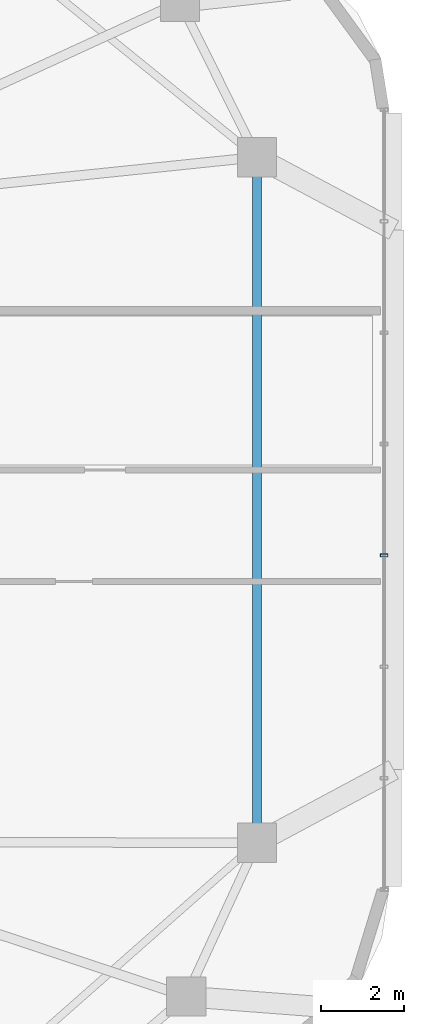
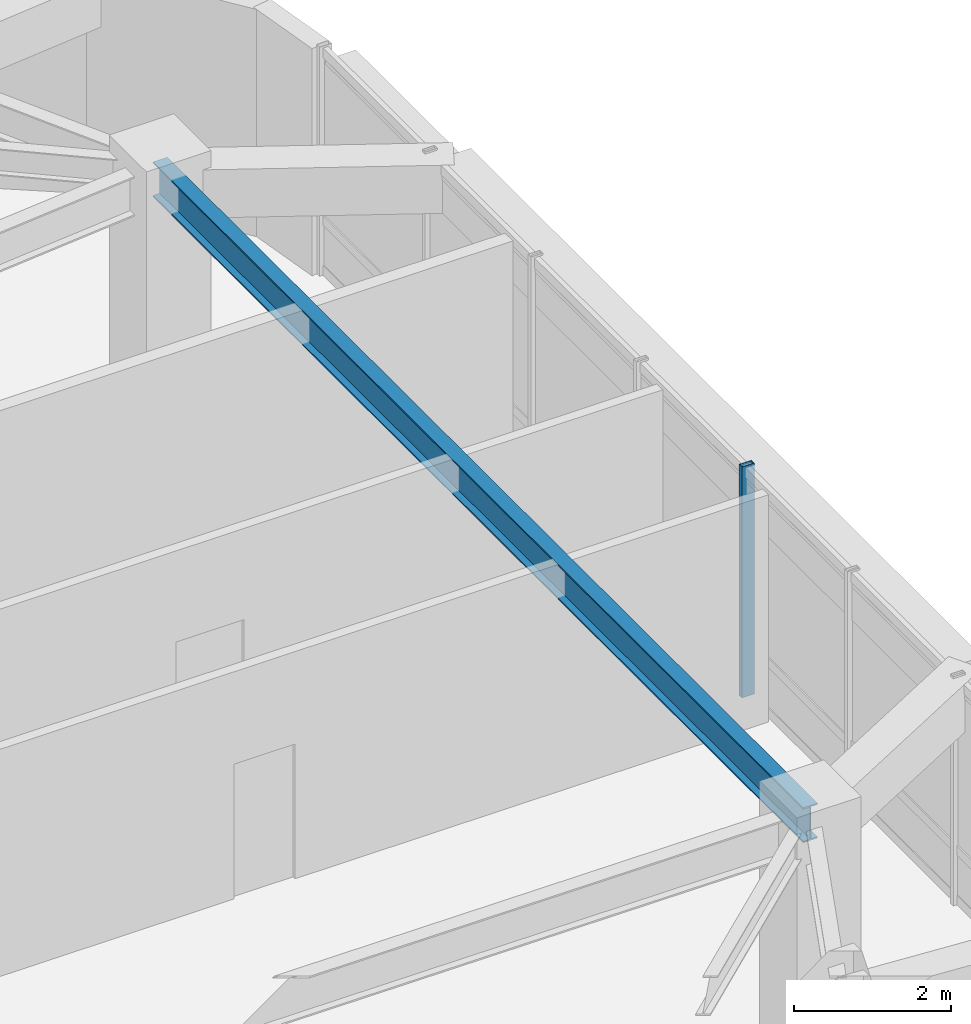
# One storey, part 3 of 14: 1 beam, 1 member, 1 element without a shape of its own.
"""IFC4 building model written with IfcOpenShell, lengths in metres."""

from ifc_helpers import new_model, si_unit, direction, frame, origin, origin_2d, place, context, subcontext, project, spatial, hollow_rectangle, i_section, extrude, material, material_profile, profile_set, type_object, element, aggregate, save


model = new_model("IFC4")

# Units and contexts
model_context = context("Model", 3, precision=1e-05, world=origin(), true_north=direction((0.0, 1.0)))
body_context = subcontext(model_context, "Body", "Model", "MODEL_VIEW")
ifc_project = project(units=[si_unit("LENGTHUNIT", "METRE"), si_unit("AREAUNIT", "SQUARE_METRE"), si_unit("VOLUMEUNIT", "CUBIC_METRE"), si_unit("PLANEANGLEUNIT", "RADIAN"), si_unit("MASSUNIT", "GRAM", prefix="KILO")], contexts=[model_context])

# Site, building, storey
site_placement = place(None, origin())
site = spatial("IfcSite", under=ifc_project, at=site_placement, CompositionType="ELEMENT")
building_placement = place(site_placement, origin())
building = spatial("IfcBuilding", under=site, at=building_placement, Name="Zulverin Broadcast Headquarters", CompositionType="ELEMENT")
storey_placement = place(building_placement, frame((0.0, 0.0, 201.0)))
storey = spatial("IfcBuildingStorey", under=building, at=storey_placement, Name="L51", CompositionType="ELEMENT", Elevation=201.0)

# Beam
ifc_material_1 = material(Name="Structural steel S355JR", Category="steel")
ifc_material_profile_1 = material_profile(ifc_material_1, i_section(OverallWidth=0.2119140625, OverallDepth=0.54443359375, WebThickness=0.0126953125, FlangeThickness=0.021240234375, at=origin_2d()), Name="Structural steel S355JR", Category="steel")
ifc_profile_set_1 = profile_set([ifc_material_profile_1], Name="Structural steel S355JR")
beam_type = type_object("IfcBeamType", Name="BM-UB-533", PredefinedType="SPANDREL", material=ifc_profile_set_1)
beam_placement = place(storey_placement, frame((60.60009765625, 17.519287109375, 3.267578125), z_axis=(0.0, 1.0, 0.0), x_axis=(-1.0, 0.0, 0.0)))
element("IfcBeam", 1, at=beam_placement, inside=storey, type_object=beam_type, Name="L51 Perimeter Spandrel Beam SP-05", PredefinedType="SPANDREL", context=body_context, shape_type="SweptSolid", body=[
    extrude(i_section(OverallWidth=0.2119140625, OverallDepth=0.54443359375, WebThickness=0.0126953125, FlangeThickness=0.021240234375, at=origin_2d()), origin(), (0.0, 0.0, 1.0), 16.602294921875),
])

# Curtain wall, member
ifc_material_2 = material(Name="Waist wind-pressure unitised curtain wall", Category="aluminium")
curtain_wall_type = type_object("IfcCurtainWallType", Name="CW-TWR-WST", PredefinedType="USERDEFINED", material=ifc_material_2)
curtain_wall_placement = place(storey_placement, origin())
curtain_wall = element("IfcCurtainWall", 2, at=curtain_wall_placement, inside=storey, type_object=curtain_wall_type, Name="L51 Unitised Curtain Wall CW-L51-E3", ObjectType="UNITISED CURTAIN WALL", PredefinedType="USERDEFINED")
ifc_material_3 = material(Name="Anodized pale-metal aluminium alloy 6063-T6", Category="aluminium")
ifc_material_profile_2 = material_profile(ifc_material_3, hollow_rectangle(XDim=0.074951171875, YDim=0.179931640625, WallThickness=0.0048828125, at=origin_2d()), Name="Anodized pale-metal aluminium alloy 6063-T6", Category="aluminium")
ifc_profile_set_2 = profile_set([ifc_material_profile_2], Name="Anodized pale-metal aluminium alloy 6063-T6")
member_type = type_object("IfcMemberType", Name="CW-MUL-180", PredefinedType="MULLION", material=ifc_profile_set_2)
member_placement = place(storey_placement, frame((63.679931640625, 24.47998046875, -0.030029296875), z_axis=(0.0, 0.0, 1.0), x_axis=(0.0, 1.0, 0.0)))
member = element("IfcMember", 3, at=member_placement, type_object=member_type, Name="CW-L51-E3 Mullion 03", PredefinedType="MULLION", context=body_context, shape_type="SweptSolid", body=[
    extrude(hollow_rectangle(XDim=0.074951171875, YDim=0.179931640625, WallThickness=0.0048828125, at=origin_2d()), origin(), (0.0, 0.0, 1.0), 3.60009765625),
])
aggregate(curtain_wall, [member])

save(model, "model.ifc")
